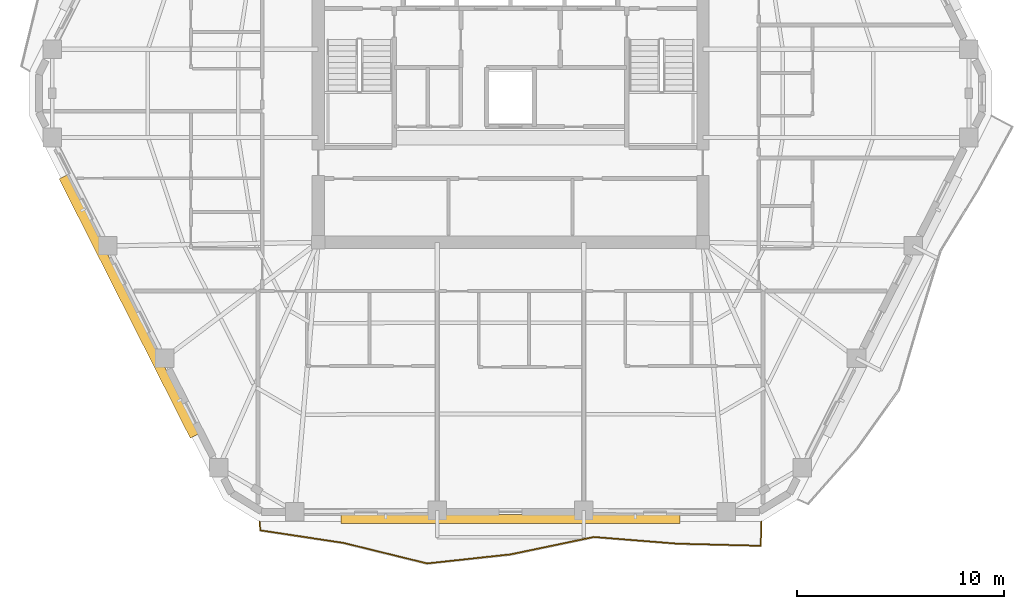
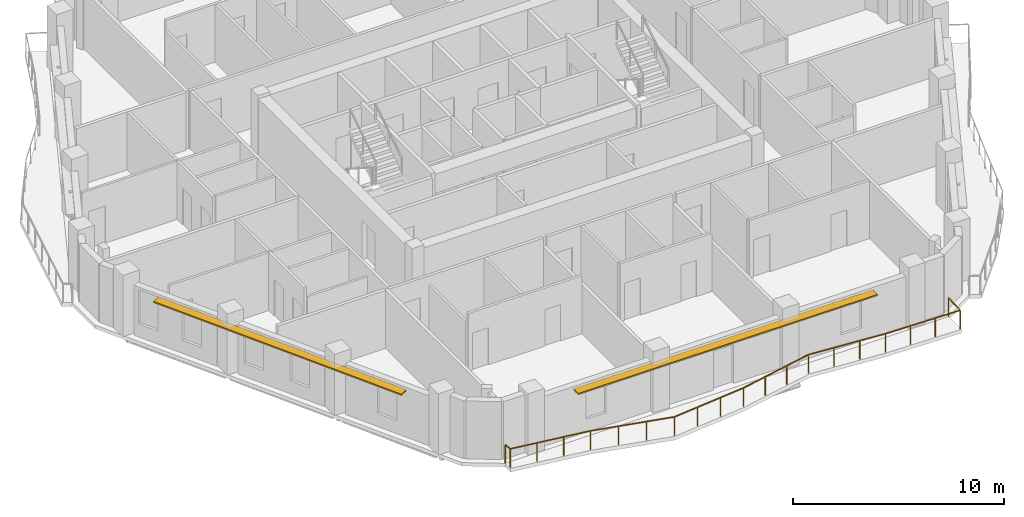
# One storey, part 10 of 12: 2 shading devices, 1 railing.
"""IFC4 building model written with IfcOpenShell, lengths in metres."""

from ifc_helpers import new_model, si_unit, direction, frame, origin, origin_2d, place, context, subcontext, project, spatial, rectangle, extrude, material, layer, layer_set, type_object, element, save


model = new_model("IFC4")

# Units and contexts
model_context = context("Model", 3, precision=1e-05, world=origin(), true_north=direction((0.0, 1.0)))
body_context = subcontext(model_context, "Body", "Model", "MODEL_VIEW")
ifc_project = project(units=[si_unit("LENGTHUNIT", "METRE"), si_unit("AREAUNIT", "SQUARE_METRE"), si_unit("VOLUMEUNIT", "CUBIC_METRE"), si_unit("PLANEANGLEUNIT", "RADIAN"), si_unit("MASSUNIT", "GRAM", prefix="KILO")], contexts=[model_context])

# Site, building, storey
site_placement = place(None, origin())
site = spatial("IfcSite", under=ifc_project, at=site_placement, CompositionType="ELEMENT")
building_placement = place(site_placement, origin())
building = spatial("IfcBuilding", under=site, at=building_placement, Name="Cinnabar Lancet Tower", CompositionType="ELEMENT")
storey_placement = place(building_placement, frame((0.0, 0.0, 186.10009765625)))
storey = spatial("IfcBuildingStorey", under=building, at=storey_placement, Name="L49", CompositionType="ELEMENT", Elevation=186.10009765625)

# Railing
ifc_material_1 = material(Name="Laminated safety glass and bronze stainless steel balustrade", Category="steel")
railing_type = type_object("IfcRailingType", Name="ENV-RLG-BAL-1100", PredefinedType="BALUSTRADE", material=ifc_material_1)
railing_placement = place(storey_placement, frame((20.27197265625, 5.10009765625, 0.0)))
element("IfcRailing", 1, at=railing_placement, inside=storey, type_object=railing_type, Name="L49 Face 1 Wave Balcony Balustrade", PredefinedType="BALUSTRADE", context=body_context, shape_type="SweptSolid", body=[
    extrude(rectangle(XDim=0.048095703125, YDim=0.048095703125, at=origin_2d()), frame((0.0, 0.0, 1.076171875), z_axis=(0.083821618191, -0.996480775692, 0.0), x_axis=(0.996480775692, 0.083821618191, 0.0)), (0.0, 0.0, 1.0), 0.41650390625),
    extrude(rectangle(XDim=0.048095703125, YDim=0.048095703125, at=origin_2d()), frame((0.034912109375, -0.4150390625, 1.076171875), z_axis=(0.988781242146, -0.149370864565, 0.0), x_axis=(0.149370864565, 0.988781242146, 0.0)), (0.0, 0.0, 1.0), 4.077880859375),
    extrude(rectangle(XDim=0.048095703125, YDim=0.048095703125, at=origin_2d()), frame((4.067138671875, -1.024169921875, 1.076171875), z_axis=(0.971124227117, -0.238574381495, 0.0), x_axis=(0.238574381495, 0.971124227117, 0.0)), (0.0, 0.0, 1.0), 4.149658203125),
    extrude(rectangle(XDim=0.048095703125, YDim=0.048095703125, at=origin_2d()), frame((8.096923828125, -2.01416015625, 1.076171875), z_axis=(0.994200437316, 0.107542970205, 0.0), x_axis=(-0.107542970205, 0.994200437316, 0.0)), (0.0, 0.0, 1.0), 4.054443359375),
    extrude(rectangle(XDim=0.048095703125, YDim=0.048095703125, at=origin_2d()), frame((12.1279296875, -1.578125, 1.076171875), z_axis=(0.97886135784, 0.204524918107, 0.0), x_axis=(-0.204524918107, 0.97886135784, 0.0)), (0.0, 0.0, 1.0), 4.116943359375),
    extrude(rectangle(XDim=0.048095703125, YDim=0.048095703125, at=origin_2d()), frame((16.157958984375, -0.736083984375, 1.076171875), z_axis=(0.996785841249, -0.080112337916, 0.0), x_axis=(0.080112337916, 0.996785841249, 0.0)), (0.0, 0.0, 1.0), 4.0439453125),
    extrude(rectangle(XDim=0.048095703125, YDim=0.048095703125, at=origin_2d()), frame((20.18896484375, -1.06005859375, 1.076171875), z_axis=(0.999680002517, -0.02529609789, 0.0), x_axis=(0.02529609789, 0.999680002517, 0.0)), (0.0, 0.0, 1.0), 4.0341796875),
    extrude(rectangle(XDim=0.048095703125, YDim=0.048095703125, at=origin_2d()), frame((24.221923828125, -1.162109375, 1.076171875), z_axis=(0.029399051602, 0.999567754464, 0.0), x_axis=(-0.999567754464, 0.029399051602, 0.0)), (0.0, 0.0, 1.0), 1.16259765625),
    extrude(rectangle(XDim=0.0419921875, YDim=0.0419921875, at=origin_2d()), origin(), (0.0, 0.0, 1.0), 1.052001953125),
    extrude(rectangle(XDim=0.0419921875, YDim=0.0419921875, at=origin_2d()), frame((0.034912109375, -0.4150390625, 0.0)), (0.0, 0.0, 1.0), 1.052001953125),
    extrude(rectangle(XDim=0.0419921875, YDim=0.0419921875, at=origin_2d()), frame((1.37890625, -0.6181640625, 0.0)), (0.0, 0.0, 1.0), 1.052001953125),
    extrude(rectangle(XDim=0.0419921875, YDim=0.0419921875, at=origin_2d()), frame((2.72314453125, -0.821044921875, 0.0)), (0.0, 0.0, 1.0), 1.052001953125),
    extrude(rectangle(XDim=0.0419921875, YDim=0.0419921875, at=origin_2d()), frame((4.067138671875, -1.024169921875, 0.0)), (0.0, 0.0, 1.0), 1.052001953125),
    extrude(rectangle(XDim=0.0419921875, YDim=0.0419921875, at=origin_2d()), frame((5.410400390625, -1.354248046875, 0.0)), (0.0, 0.0, 1.0), 1.052001953125),
    extrude(rectangle(XDim=0.0419921875, YDim=0.0419921875, at=origin_2d()), frame((6.753662109375, -1.68408203125, 0.0)), (0.0, 0.0, 1.0), 1.052001953125),
    extrude(rectangle(XDim=0.0419921875, YDim=0.0419921875, at=origin_2d()), frame((8.096923828125, -2.01416015625, 0.0)), (0.0, 0.0, 1.0), 1.052001953125),
    extrude(rectangle(XDim=0.0419921875, YDim=0.0419921875, at=origin_2d()), frame((9.440673828125, -1.868896484375, 0.0)), (0.0, 0.0, 1.0), 1.052001953125),
    extrude(rectangle(XDim=0.0419921875, YDim=0.0419921875, at=origin_2d()), frame((10.7841796875, -1.723388671875, 0.0)), (0.0, 0.0, 1.0), 1.052001953125),
    extrude(rectangle(XDim=0.0419921875, YDim=0.0419921875, at=origin_2d()), frame((12.1279296875, -1.578125, 0.0)), (0.0, 0.0, 1.0), 1.052001953125),
    extrude(rectangle(XDim=0.0419921875, YDim=0.0419921875, at=origin_2d()), frame((13.47119140625, -1.29736328125, 0.0)), (0.0, 0.0, 1.0), 1.052001953125),
    extrude(rectangle(XDim=0.0419921875, YDim=0.0419921875, at=origin_2d()), frame((14.814697265625, -1.016845703125, 0.0)), (0.0, 0.0, 1.0), 1.052001953125),
    extrude(rectangle(XDim=0.0419921875, YDim=0.0419921875, at=origin_2d()), frame((16.157958984375, -0.736083984375, 0.0)), (0.0, 0.0, 1.0), 1.052001953125),
    extrude(rectangle(XDim=0.0419921875, YDim=0.0419921875, at=origin_2d()), frame((17.501708984375, -0.843994140625, 0.0)), (0.0, 0.0, 1.0), 1.052001953125),
    extrude(rectangle(XDim=0.0419921875, YDim=0.0419921875, at=origin_2d()), frame((18.84521484375, -0.9521484375, 0.0)), (0.0, 0.0, 1.0), 1.052001953125),
    extrude(rectangle(XDim=0.0419921875, YDim=0.0419921875, at=origin_2d()), frame((20.18896484375, -1.06005859375, 0.0)), (0.0, 0.0, 1.0), 1.052001953125),
    extrude(rectangle(XDim=0.0419921875, YDim=0.0419921875, at=origin_2d()), frame((21.533203125, -1.093994140625, 0.0)), (0.0, 0.0, 1.0), 1.052001953125),
    extrude(rectangle(XDim=0.0419921875, YDim=0.0419921875, at=origin_2d()), frame((22.877685546875, -1.128173828125, 0.0)), (0.0, 0.0, 1.0), 1.052001953125),
    extrude(rectangle(XDim=0.0419921875, YDim=0.0419921875, at=origin_2d()), frame((24.221923828125, -1.162109375, 0.0)), (0.0, 0.0, 1.0), 1.052001953125),
    extrude(rectangle(XDim=0.0419921875, YDim=0.0419921875, at=origin_2d()), frame((24.256103515625, 0.0, 0.0)), (0.0, 0.0, 1.0), 1.052001953125),
])

# Shading devices
ifc_material_2 = material(Name="Pale limestone architectural aluminium sunshade", Category="masonry")
ifc_layer = layer(ifc_material_2, 0.080078125)
ifc_layer_set = layer_set([ifc_layer], Name="Pale limestone architectural aluminium sunshade")
shading_device_type = type_object("IfcShadingDeviceType", Name="ENV-SHD-LVR-450", PredefinedType="JALOUSIE", material=ifc_layer_set)
shading_device_1_placement = place(storey_placement, frame((32.39990234375, 5.22998046875, 2.639892578125), z_axis=(0.0, 0.0, 1.0), x_axis=(1.0, 0.0, 0.0)))
element("IfcShadingDevice", 2, at=shading_device_1_placement, inside=storey, type_object=shading_device_type, Name="L49 Face 1 Horizontal Sunshade Canopy", PredefinedType="JALOUSIE", context=body_context, shape_type="SweptSolid", body=[
    extrude(rectangle(XDim=16.3720703125, YDim=0.449951171875, at=origin_2d()), origin(), (0.0, 0.0, 1.0), 0.080078125),
])
shading_device_2_placement = place(storey_placement, frame((13.9541015625, 15.506103515625, 2.639892578125), z_axis=(0.0, 0.0, 1.0), x_axis=(0.45140713236, -0.892318105193, 0.0)))
element("IfcShadingDevice", 3, at=shading_device_2_placement, inside=storey, type_object=shading_device_type, Name="L49 Face 6 Horizontal Sunshade Canopy", PredefinedType="JALOUSIE", context=body_context, shape_type="SweptSolid", body=[
    extrude(rectangle(XDim=14.034912109375, YDim=0.449951171875, at=origin_2d()), origin(), (0.0, 0.0, 1.0), 0.080078125),
])

save(model, "model.ifc")
